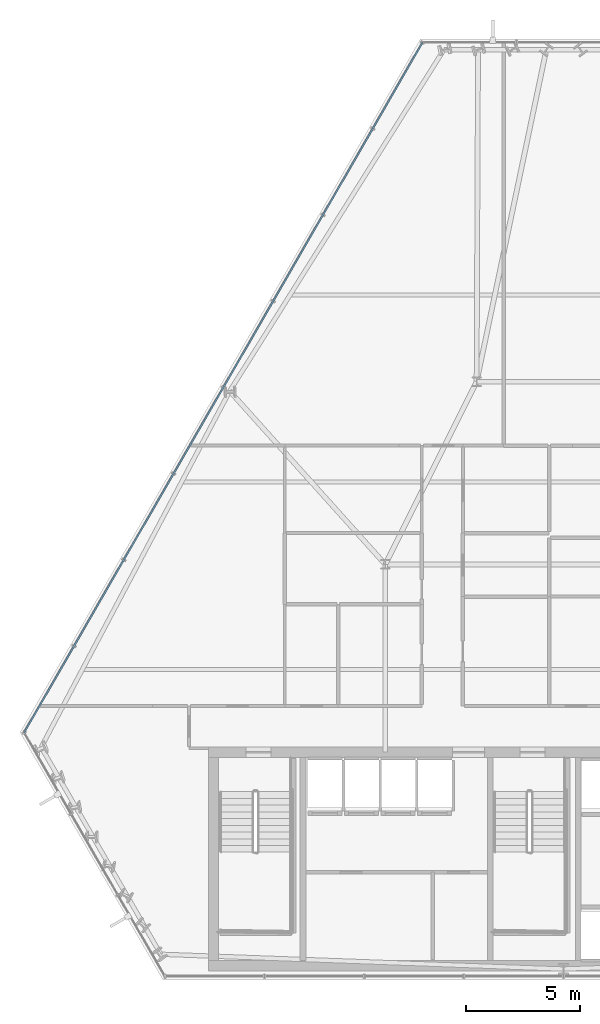
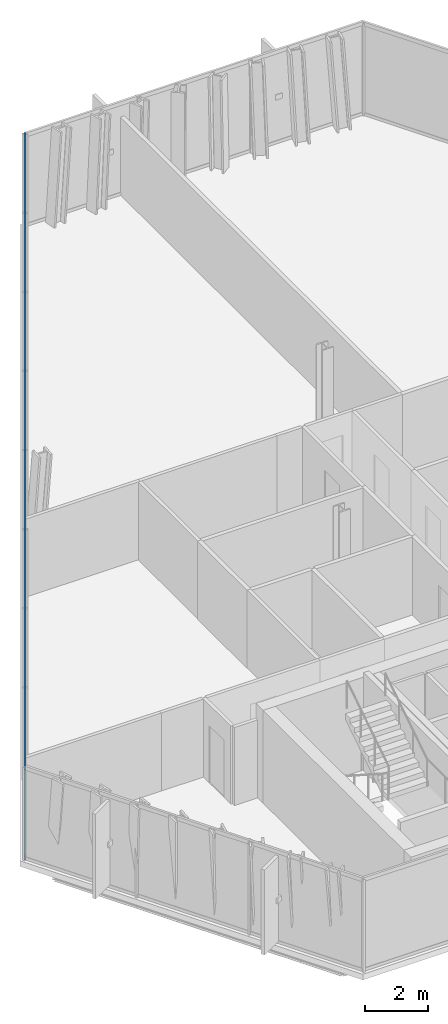
# One storey, part 12 of 32: 2 members, 1 element without a shape of its own.
"""IFC4 building model written with IfcOpenShell, lengths in metres."""

from ifc_helpers import new_model, si_unit, direction, frame, origin, origin_2d, place, context, subcontext, project, spatial, hollow_rectangle, extrude, material, layer, layer_set, material_profile, profile_set, type_object, element, aggregate, save


model = new_model("IFC4")

# Units and contexts
model_context = context("Model", 3, precision=1e-05, world=origin(), true_north=direction((0.0, 1.0)))
body_context = subcontext(model_context, "Body", "Model", "MODEL_VIEW")
ifc_project = project(units=[si_unit("LENGTHUNIT", "METRE"), si_unit("AREAUNIT", "SQUARE_METRE"), si_unit("VOLUMEUNIT", "CUBIC_METRE"), si_unit("PLANEANGLEUNIT", "RADIAN"), si_unit("MASSUNIT", "GRAM", prefix="KILO")], contexts=[model_context])

# Site, building, storey
site_placement = place(None, origin())
site = spatial("IfcSite", under=ifc_project, at=site_placement, CompositionType="ELEMENT")
building_placement = place(site_placement, origin())
building = spatial("IfcBuilding", under=site, at=building_placement, Name="Ndaravel Arena Tower", CompositionType="ELEMENT")
storey_placement = place(building_placement, frame((0.0, 0.0, 134.60009765625)))
storey = spatial("IfcBuildingStorey", under=building, at=storey_placement, Name="L31", CompositionType="ELEMENT", Elevation=134.60009765625)

# Curtain wall, members
ifc_material_1 = material(Name="Aluminium", Category="aluminium")
ifc_layer = layer(ifc_material_1, 0.179931640625)
ifc_layer_set = layer_set([ifc_layer], Name="Aluminium")
curtain_wall_type = type_object("IfcCurtainWallType", Name="CW-SYS-03", PredefinedType="NOTDEFINED", material=ifc_layer_set)
curtain_wall_placement = place(storey_placement, origin())
curtain_wall = element("IfcCurtainWall", 1, at=curtain_wall_placement, inside=storey, type_object=curtain_wall_type, Name="L31 Faceted Crystal Curtain Wall CW-L31-E05", PredefinedType="NOTDEFINED")
ifc_material_2 = material(Name="Aluminium", Category="aluminium")
ifc_material_profile = material_profile(ifc_material_2, hollow_rectangle(XDim=0.074951171875, YDim=0.14990234375, WallThickness=0.00390625, at=origin_2d()), Name="CW TRANSOM 75x150x4")
ifc_profile_set = profile_set([ifc_material_profile], Name="Aluminium")
member_type = type_object("IfcMemberType", Name="MEM-CW-TRN150", PredefinedType="USERDEFINED", material=ifc_profile_set)
member_1_placement = place(storey_placement, frame((35.833251953125, 46.05615234375, 0.039794921875), z_axis=(-0.499997655819, -0.866026757194, 0.0), x_axis=(0.866026757194, -0.499997655819, 0.0)))
member_1 = element("IfcMember", 2, at=member_1_placement, type_object=member_type, Name="CW-L31-E05 Transom 01", ObjectType="TRANSOM", PredefinedType="USERDEFINED", context=body_context, shape_type="SweptSolid", body=[
    extrude(hollow_rectangle(XDim=0.074951171875, YDim=0.14990234375, WallThickness=0.00390625, at=origin_2d()), origin(), (0.0, 0.0, 1.0), 34.889404296875),
])
member_2_placement = place(storey_placement, frame((35.833251953125, 46.05615234375, 3.539794921875), z_axis=(-0.499997655819, -0.866026757194, 0.0), x_axis=(0.866026757194, -0.499997655819, 0.0)))
member_2 = element("IfcMember", 3, at=member_2_placement, type_object=member_type, Name="CW-L31-E05 Transom 02", ObjectType="TRANSOM", PredefinedType="USERDEFINED", context=body_context, shape_type="SweptSolid", body=[
    extrude(hollow_rectangle(XDim=0.074951171875, YDim=0.14990234375, WallThickness=0.00390625, at=origin_2d()), origin(), (0.0, 0.0, 1.0), 34.889404296875),
])
aggregate(curtain_wall, [member_1, member_2])

save(model, "model.ifc")
